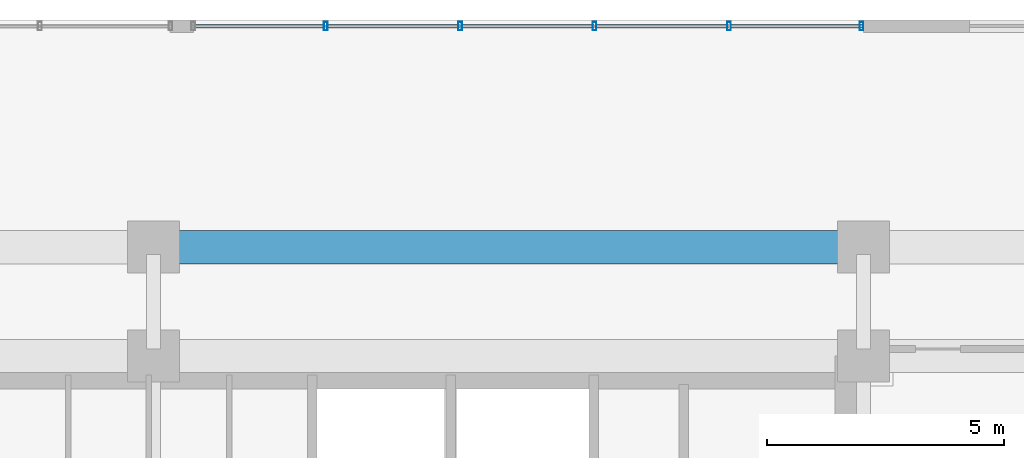
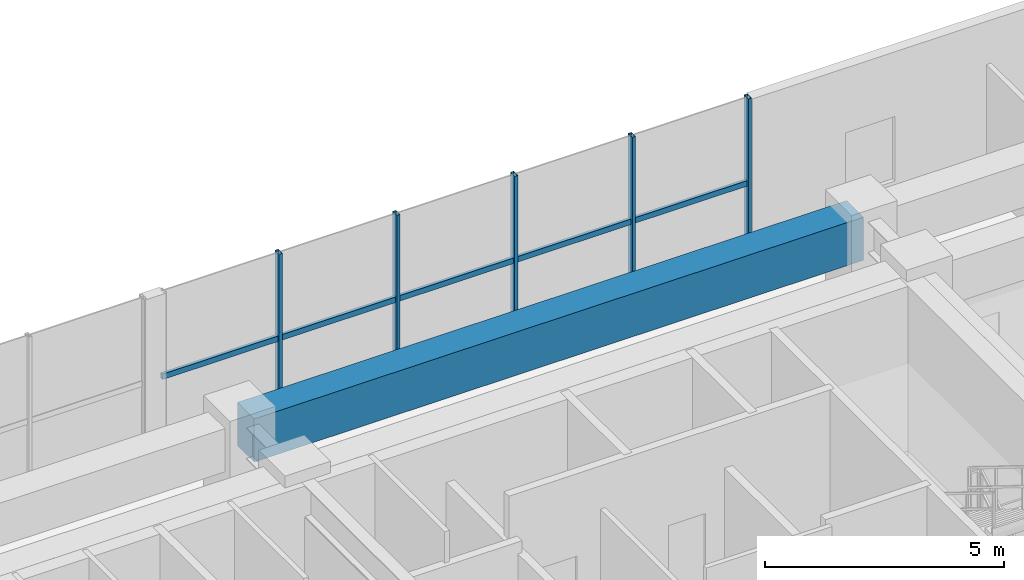
# One storey, part 11 of 24: 10 members, 1 beam, 1 element without a shape of its own.
"""IFC4 building model written with IfcOpenShell, lengths in metres."""

import ifcopenshell
import ifcopenshell.guid

model = None  # the IFC model being written
_history = None  # IfcOwnerHistory: only IFC2X3 demands one
_inside = {}  # id of a spatial element -> (the spatial element, [elements in it])
_under = {}  # id of a project, library or spatial element -> (it, [spatial elements below it])
_declared = {}  # id of a project -> (the project, [libraries it declares])
_typed = {}  # id of a type object -> (the type object, [elements of that type])
_made_of = {}  # id of a material, layer set ... -> (it, [elements and type objects made of it])


def new_model(schema):
    """Start an empty IFC model of exactly this schema.

    Asked for "IFC4X3", IfcOpenShell would pick the latest addendum, in which some entities
    have other attributes; the version numbers below select the first issue.
    IFC2X3 requires an IfcOwnerHistory on every rooted entity: one is made here for all.
    """
    global model, _history
    if schema == "IFC4X3":
        model = ifcopenshell.file(schema_version=(4, 3, 0, 0))
    else:
        model = ifcopenshell.file(schema=schema)
    _inside.clear()
    _under.clear()
    _declared.clear()
    _typed.clear()
    _made_of.clear()
    _history = None
    if model.schema == "IFC2X3":
        org = make("IfcOrganization", Name="unknown")
        user = make(
            "IfcPersonAndOrganization",
            ThePerson=make("IfcPerson", FamilyName="unknown"),
            TheOrganization=org,
        )
        app = make(
            "IfcApplication",
            ApplicationDeveloper=org,
            Version="unknown",
            ApplicationFullName="unknown",
            ApplicationIdentifier="unknown",
        )
        _history = make(
            "IfcOwnerHistory",
            OwningUser=user,
            OwningApplication=app,
            ChangeAction="ADDED",
            CreationDate=0,
        )
    return model


def make(cls, **values):
    """One entity of the class cls with the attributes given. An attribute that is None is left unset."""
    return model.create_entity(
        cls, **{name: value for name, value in values.items() if value is not None}
    )


def rooted(cls, **values):
    """An entity with a GlobalId (a new one), such as an element, a storey or a relation."""
    return make(cls, GlobalId=ifcopenshell.guid.new(), OwnerHistory=_history, **values)


def si_unit(unit_type, name, prefix=None):
    """IfcSIUnit, for example si_unit("LENGTHUNIT", "METRE", prefix="MILLI")."""
    return make("IfcSIUnit", UnitType=unit_type, Prefix=prefix, Name=name)


def assignment(units):
    """IfcUnitAssignment: the units of a project."""
    return None if units is None else make("IfcUnitAssignment", Units=units)


def point(xyz):
    """IfcCartesianPoint."""
    return None if xyz is None else make("IfcCartesianPoint", Coordinates=xyz)


def direction(xyz):
    """IfcDirection."""
    return None if xyz is None else make("IfcDirection", DirectionRatios=xyz)


def frame(location, z_axis=None, x_axis=None):
    """IfcAxis2Placement3D, a coordinate frame: its origin and axes. An axis left out is left unset."""
    return make(
        "IfcAxis2Placement3D",
        Location=point(location),
        Axis=direction(z_axis),
        RefDirection=direction(x_axis),
    )


def frame_2d(location, x_axis=None):
    """IfcAxis2Placement2D, a coordinate frame in the plane: its origin and x axis."""
    return make(
        "IfcAxis2Placement2D", Location=point(location), RefDirection=direction(x_axis)
    )


def origin():
    """The frame at (0, 0, 0) with its axes left unset."""
    return frame((0.0, 0.0, 0.0))


def origin_2d():
    """The frame at (0, 0) in the plane with its x axis left unset."""
    return frame_2d((0.0, 0.0))


def place(relative_to, where):
    """IfcLocalPlacement: puts the frame where relative to a parent placement (None: the world)."""
    return make(
        "IfcLocalPlacement", PlacementRelTo=relative_to, RelativePlacement=where
    )


def context(
    kind, dimensions, precision=None, world=None, true_north=None, identifier=None
):
    """IfcGeometricRepresentationContext, for example the 3D "Model" context."""
    return make(
        "IfcGeometricRepresentationContext",
        ContextIdentifier=identifier,
        ContextType=kind,
        CoordinateSpaceDimension=dimensions,
        Precision=precision,
        WorldCoordinateSystem=world,
        TrueNorth=true_north,
    )


def subcontext(parent, identifier, kind, view, scale=None):
    """IfcGeometricRepresentationSubContext, for example "Body" below "Model"."""
    return make(
        "IfcGeometricRepresentationSubContext",
        ContextIdentifier=identifier,
        ContextType=kind,
        ParentContext=parent,
        TargetScale=scale,
        TargetView=view,
    )


def project(units=None, contexts=None):
    """IfcProject with its units and contexts."""
    return rooted(
        "IfcProject",
        Name="project",
        RepresentationContexts=contexts,
        UnitsInContext=assignment(units),
    )


def spatial(cls, under=None, at=None, **own):
    """A site, building, storey or space (cls), placed at a placement, below another one or the project."""
    s = rooted(cls, ObjectPlacement=at, **own)
    if under is not None:
        _under.setdefault(under.id(), (under, []))[1].append(s)
    return s


def profile(cls, at=None, kind="AREA", **sizes):
    """A parametric profile (cls). Its sizes go by their IFC names, for example OverallWidth=200.0."""
    return make(cls, ProfileType=kind, Position=at, **sizes)


def rectangle(**sizes):
    """IfcRectangleProfileDef."""
    return profile("IfcRectangleProfileDef", **sizes)


def hollow_rectangle(**sizes):
    """IfcRectangleHollowProfileDef."""
    return profile("IfcRectangleHollowProfileDef", **sizes)


def extrude(swept, where, along, depth):
    """IfcExtrudedAreaSolid: the profile swept, set in the frame where, extruded along a direction by depth."""
    return make(
        "IfcExtrudedAreaSolid",
        SweptArea=swept,
        Position=where,
        ExtrudedDirection=direction(along),
        Depth=depth,
    )


def shape(context_of_items, identifier, shape_type, items):
    """IfcShapeRepresentation: the items that make up one representation, for example the "Body"."""
    return make(
        "IfcShapeRepresentation",
        ContextOfItems=context_of_items,
        RepresentationIdentifier=identifier,
        RepresentationType=shape_type,
        Items=items,
    )


def source(mapping_origin, context_of_items, identifier, shape_type, items):
    """IfcRepresentationMap: a shape defined once, which mapped items show again and again."""
    return make(
        "IfcRepresentationMap",
        MappingOrigin=mapping_origin,
        MappedRepresentation=shape(context_of_items, identifier, shape_type, items),
    )


def transform(
    local_origin,
    x_axis=None,
    y_axis=None,
    z_axis=None,
    scale=None,
    scale2=None,
    scale3=None,
    uniform=True,
):
    """IfcCartesianTransformationOperator3D, or its non-uniform kind. x_axis, y_axis, z_axis: its Axis1, 2, 3."""
    if uniform:
        return make(
            "IfcCartesianTransformationOperator3D",
            Axis1=direction(x_axis),
            Axis2=direction(y_axis),
            LocalOrigin=point(local_origin),
            Scale=scale,
            Axis3=direction(z_axis),
        )
    return make(
        "IfcCartesianTransformationOperator3DnonUniform",
        Axis1=direction(x_axis),
        Axis2=direction(y_axis),
        LocalOrigin=point(local_origin),
        Scale=scale,
        Axis3=direction(z_axis),
        Scale2=scale2,
        Scale3=scale3,
    )


def mapped(mapping_source, mapping_target):
    """IfcMappedItem: shows the shape of a source again, moved by a transform."""
    return make(
        "IfcMappedItem", MappingSource=mapping_source, MappingTarget=mapping_target
    )


def material(Name=None, Category=None):
    """IfcMaterial."""
    return make("IfcMaterial", Name=Name, Category=Category)


def material_profile(
    of_material, cross_section, Name=None, Category=None, Priority=None
):
    """IfcMaterialProfile: a cross section and its material."""
    return make(
        "IfcMaterialProfile",
        Name=Name,
        Material=of_material,
        Profile=cross_section,
        Priority=Priority,
        Category=Category,
    )


def profile_set(profiles, Name=None, composite=None):
    """IfcMaterialProfileSet."""
    return make(
        "IfcMaterialProfileSet",
        Name=Name,
        MaterialProfiles=profiles,
        CompositeProfile=composite,
    )


def made_of(thing, what):
    """Note that an element or type object is made of a material, layer set ...; save() writes the relation."""
    if what is not None:
        _made_of.setdefault(what.id(), (what, []))[1].append(thing)
    return thing


def type_object(cls, material=None, **own):
    """A type object (cls), such as IfcWallType, which elements share."""
    return made_of(rooted(cls, **own), material)


def element(
    cls,
    number,
    at=None,
    inside=None,
    cuts=None,
    type_object=None,
    material=None,
    context=None,
    identifier="Body",
    shape_type=None,
    held_by="IfcProductDefinitionShape",
    body=None,
    shapes=None,
    **own,
):
    """One element of the class cls, such as IfcWall. Its Tag is "e" and its number.

    at: its placement. inside: the storey or other place that contains it. cuts: it is an
    opening in that element (IfcRelVoidsElement). A single representation is given by context,
    identifier, shape_type and body (its items); several are given by shapes. held_by: the class
    of the entity that holds the representations. save() writes the other relations.
    """
    e = rooted(cls, Tag="e%d" % number, ObjectPlacement=at, **own)
    if body is not None:
        shapes = [shape(context, identifier, shape_type, body)]
    if shapes is not None:
        e.Representation = make(held_by, Representations=shapes)
    if inside is not None:
        _inside.setdefault(inside.id(), (inside, []))[1].append(e)
    if cuts is not None:
        rooted(
            "IfcRelVoidsElement", RelatingBuildingElement=cuts, RelatedOpeningElement=e
        )
    if type_object is not None:
        _typed.setdefault(type_object.id(), (type_object, []))[1].append(e)
    return made_of(e, material)


def aggregate(whole, parts):
    """IfcRelAggregates: a whole, such as a stair, and the parts it consists of."""
    return rooted("IfcRelAggregates", RelatingObject=whole, RelatedObjects=parts)


def save(model, path):
    """Write the relations noted so far, then the file.

    IfcRelAggregates (storeys below a building ...), IfcRelContainedInSpatialStructure (elements
    in a storey), IfcRelDefinesByType, IfcRelAssociatesMaterial and IfcRelDeclares: one each for
    every whole, place, type object, material and project.
    """
    for whole, parts in _under.values():
        aggregate(whole, parts)
    for where, things in _inside.values():
        rooted(
            "IfcRelContainedInSpatialStructure",
            RelatedElements=things,
            RelatingStructure=where,
        )
    for kind, things in _typed.values():
        rooted("IfcRelDefinesByType", RelatedObjects=things, RelatingType=kind)
    for what, things in _made_of.values():
        rooted("IfcRelAssociatesMaterial", RelatedObjects=things, RelatingMaterial=what)
    for by, libraries in _declared.values():
        rooted("IfcRelDeclares", RelatingContext=by, RelatedDefinitions=libraries)
    model.write(path)


model = new_model("IFC4")

# Units and contexts
model_context = context("Model", 3, precision=1e-05, world=origin(), true_north=direction((0.0, 1.0)))
body_context = subcontext(model_context, "Body", "Model", "MODEL_VIEW")
ifc_project = project(units=[si_unit("LENGTHUNIT", "METRE"), si_unit("AREAUNIT", "SQUARE_METRE"), si_unit("VOLUMEUNIT", "CUBIC_METRE"), si_unit("PLANEANGLEUNIT", "RADIAN"), si_unit("MASSUNIT", "GRAM", prefix="KILO")], contexts=[model_context])

# Site, building, storey
site_placement = place(None, origin())
site = spatial("IfcSite", under=ifc_project, at=site_placement, CompositionType="ELEMENT")
building_placement = place(site_placement, origin())
building = spatial("IfcBuilding", under=site, at=building_placement, Name="Trelvane Seafront Commons", CompositionType="ELEMENT")
storey_placement = place(building_placement, frame((0.0, 0.0, 9.699951171875)))
storey = spatial("IfcBuildingStorey", under=building, at=storey_placement, Name="L02", CompositionType="ELEMENT", Elevation=9.699951171875)

# Beam
ifc_material_1 = material(Name="Concrete C50/60", Category="concrete")
ifc_material_profile_1 = material_profile(ifc_material_1, rectangle(XDim=0.699951171875, YDim=1.10009765625, at=origin_2d()), Name="RC-700x1100")
ifc_profile_set_1 = profile_set([ifc_material_profile_1], Name="Concrete C50/60")
beam_type = type_object("IfcBeamType", Name="STR-TBM-RC700x1100", PredefinedType="T_BEAM", material=ifc_profile_set_1)
shared_shape_1 = source(origin(), body_context, "Body", "SweptSolid", [
    extrude(rectangle(XDim=0.699951171875, YDim=1.10009765625, at=origin_2d()), origin(), (0.0, 0.0, 1.0), 14.699951171875),
])
beam_placement = place(storey_placement, frame((43.949951171875, 47.39990234375, 3.650146484375), z_axis=(1.0, 0.0, 0.0), x_axis=(0.0, 1.0, 0.0)))
element("IfcBeam", 1, at=beam_placement, inside=storey, type_object=beam_type, Name="L02 Primary Girder G-29", PredefinedType="T_BEAM", context=body_context, shape_type="MappedRepresentation", body=[
    mapped(shared_shape_1, transform((0.0, 0.0, 0.0), x_axis=(1.0, 0.0, 0.0), y_axis=(0.0, 1.0, 0.0), z_axis=(0.0, 0.0, 1.0), scale=1.0)),
])

# Curtain wall, members
ifc_material_2 = material(Name="Anodised pale-silver aluminium", Category="aluminium")
curtain_wall_type = type_object("IfcCurtainWallType", Name="ARCH-CW1-PODIUM", PredefinedType="NOTDEFINED", material=ifc_material_2)
curtain_wall_placement = place(storey_placement, origin())
curtain_wall = element("IfcCurtainWall", 2, at=curtain_wall_placement, inside=storey, type_object=curtain_wall_type, Name="CW-L02-0015", PredefinedType="NOTDEFINED")
ifc_material_profile_2 = material_profile(ifc_material_2, hollow_rectangle(XDim=0.080078125, YDim=0.179931640625, WallThickness=0.00439453125, at=origin_2d()), Name="MULL-80x180x4.5")
ifc_profile_set_2 = profile_set([ifc_material_profile_2], Name="Anodised pale-silver aluminium")
member_type_1 = type_object("IfcMemberType", Name="ARCH-CW-MULL-180", PredefinedType="MULLION", material=ifc_profile_set_2)
shared_shape_2 = source(origin(), body_context, "Body", "SweptSolid", [
    extrude(hollow_rectangle(XDim=0.080078125, YDim=0.179931640625, WallThickness=0.00439453125, at=origin_2d()), origin(), (0.0, 0.0, 1.0), 4.199951171875),
])
member_1_placement = place(storey_placement, frame((47.43994140625, 52.070068359375, 0.0), z_axis=(0.0, 0.0, 1.0), x_axis=(1.0, 0.0, 0.0)))
member_1 = element("IfcMember", 3, at=member_1_placement, type_object=member_type_1, Name="CW-L02-0015-M01", PredefinedType="MULLION", context=body_context, shape_type="MappedRepresentation", body=[
    mapped(shared_shape_2, transform((0.0, 0.0, 0.0), x_axis=(1.0, 0.0, 0.0), y_axis=(0.0, 1.0, 0.0), z_axis=(0.0, 0.0, 1.0), scale=1.0)),
])
member_2_placement = place(storey_placement, frame((50.280029296875, 52.070068359375, 0.0), z_axis=(0.0, 0.0, 1.0), x_axis=(1.0, 0.0, 0.0)))
member_2 = element("IfcMember", 4, at=member_2_placement, type_object=member_type_1, Name="CW-L02-0015-M02", PredefinedType="MULLION", context=body_context, shape_type="MappedRepresentation", body=[
    mapped(shared_shape_2, transform((0.0, 0.0, 0.0), x_axis=(1.0, 0.0, 0.0), y_axis=(0.0, 1.0, 0.0), z_axis=(0.0, 0.0, 1.0), scale=1.0)),
])
member_3_placement = place(storey_placement, frame((53.1201171875, 52.070068359375, 0.0), z_axis=(0.0, 0.0, 1.0), x_axis=(1.0, 0.0, 0.0)))
member_3 = element("IfcMember", 5, at=member_3_placement, type_object=member_type_1, Name="CW-L02-0015-M03", PredefinedType="MULLION", context=body_context, shape_type="MappedRepresentation", body=[
    mapped(shared_shape_2, transform((0.0, 0.0, 0.0), x_axis=(1.0, 0.0, 0.0), y_axis=(0.0, 1.0, 0.0), z_axis=(0.0, 0.0, 1.0), scale=1.0)),
])
member_4_placement = place(storey_placement, frame((55.9599609375, 52.070068359375, 0.0), z_axis=(0.0, 0.0, 1.0), x_axis=(1.0, 0.0, 0.0)))
member_4 = element("IfcMember", 6, at=member_4_placement, type_object=member_type_1, Name="CW-L02-0015-M04", PredefinedType="MULLION", context=body_context, shape_type="MappedRepresentation", body=[
    mapped(shared_shape_2, transform((0.0, 0.0, 0.0), x_axis=(1.0, 0.0, 0.0), y_axis=(0.0, 1.0, 0.0), z_axis=(0.0, 0.0, 1.0), scale=1.0)),
])
member_5_placement = place(storey_placement, frame((58.760009765625, 52.070068359375, 0.0), z_axis=(0.0, 0.0, 1.0), x_axis=(1.0, 0.0, 0.0)))
member_5 = element("IfcMember", 7, at=member_5_placement, type_object=member_type_1, Name="CW-L02-0015-M05", PredefinedType="MULLION", context=body_context, shape_type="MappedRepresentation", body=[
    mapped(shared_shape_2, transform((0.0, 0.0, 0.0), x_axis=(1.0, 0.0, 0.0), y_axis=(0.0, 1.0, 0.0), z_axis=(0.0, 0.0, 1.0), scale=1.0)),
])
ifc_material_profile_3 = material_profile(ifc_material_2, hollow_rectangle(XDim=0.074951171875, YDim=0.139892578125, WallThickness=0.00390625, at=origin_2d()), Name="TRAN-75x140x4")
ifc_profile_set_3 = profile_set([ifc_material_profile_3], Name="Anodised pale-silver aluminium")
member_type_2 = type_object("IfcMemberType", Name="ARCH-CW-TRAN-140", PredefinedType="USERDEFINED", material=ifc_profile_set_3)
shared_shape_3 = source(origin(), body_context, "Body", "SweptSolid", [
    extrude(hollow_rectangle(XDim=0.074951171875, YDim=0.139892578125, WallThickness=0.00390625, at=origin_2d()), origin(), (0.0, 0.0, 1.0), 2.81591796875),
])
member_6_placement = place(storey_placement, frame((44.612060546875, 52.070068359375, 2.01611328125), z_axis=(1.0, 0.0, 0.0), x_axis=(0.0, 1.0, 0.0)))
member_6 = element("IfcMember", 8, at=member_6_placement, type_object=member_type_2, Name="CW-L02-0015-T00", ObjectType="TRANSOM", PredefinedType="USERDEFINED", context=body_context, shape_type="MappedRepresentation", body=[
    mapped(shared_shape_3, transform((0.0, 0.0, 0.0), x_axis=(1.0, 0.0, 0.0), y_axis=(0.0, 1.0, 0.0), z_axis=(0.0, 0.0, 1.0), scale=1.0)),
])
member_7_placement = place(storey_placement, frame((50.2919921875, 52.070068359375, 2.01611328125), z_axis=(1.0, 0.0, 0.0), x_axis=(0.0, 1.0, 0.0)))
member_7 = element("IfcMember", 9, at=member_7_placement, type_object=member_type_2, Name="CW-L02-0015-T02", ObjectType="TRANSOM", PredefinedType="USERDEFINED", context=body_context, shape_type="MappedRepresentation", body=[
    mapped(shared_shape_3, transform((0.0, 0.0, 0.0), x_axis=(1.0, 0.0, 0.0), y_axis=(0.0, 1.0, 0.0), z_axis=(0.0, 0.0, 1.0), scale=1.0)),
])
member_8_placement = place(storey_placement, frame((53.132080078125, 52.070068359375, 2.01611328125), z_axis=(1.0, 0.0, 0.0), x_axis=(0.0, 1.0, 0.0)))
member_8 = element("IfcMember", 10, at=member_8_placement, type_object=member_type_2, Name="CW-L02-0015-T03", ObjectType="TRANSOM", PredefinedType="USERDEFINED", context=body_context, shape_type="MappedRepresentation", body=[
    mapped(shared_shape_3, transform((0.0, 0.0, 0.0), x_axis=(1.0, 0.0, 0.0), y_axis=(0.0, 1.0, 0.0), z_axis=(0.0, 0.0, 1.0), scale=1.0)),
])
shared_shape_4 = source(origin(), body_context, "Body", "SweptSolid", [
    extrude(hollow_rectangle(XDim=0.074951171875, YDim=0.139892578125, WallThickness=0.00390625, at=origin_2d()), origin(), (0.0, 0.0, 1.0), 2.816162109375),
])
member_9_placement = place(storey_placement, frame((47.451904296875, 52.070068359375, 2.01611328125), z_axis=(1.0, 0.0, 0.0), x_axis=(0.0, 1.0, 0.0)))
member_9 = element("IfcMember", 11, at=member_9_placement, type_object=member_type_2, Name="CW-L02-0015-T01", ObjectType="TRANSOM", PredefinedType="USERDEFINED", context=body_context, shape_type="MappedRepresentation", body=[
    mapped(shared_shape_4, transform((0.0, 0.0, 0.0), x_axis=(1.0, 0.0, 0.0), y_axis=(0.0, 1.0, 0.0), z_axis=(0.0, 0.0, 1.0), scale=1.0)),
])
member_10_placement = place(storey_placement, frame((55.971923828125, 52.070068359375, 2.01611328125), z_axis=(1.0, 0.0, 0.0), x_axis=(0.0, 1.0, 0.0)))
member_10 = element("IfcMember", 12, at=member_10_placement, type_object=member_type_2, Name="CW-L02-0015-T04", ObjectType="TRANSOM", PredefinedType="USERDEFINED", context=body_context, shape_type="MappedRepresentation", body=[
    mapped(shared_shape_4, transform((0.0, 0.0, 0.0), x_axis=(1.0, 0.0, 0.0), y_axis=(0.0, 1.0, 0.0), z_axis=(0.0, 0.0, 1.0), scale=1.0)),
])
aggregate(curtain_wall, [member_1, member_2, member_3, member_4, member_5, member_6, member_9, member_7, member_8, member_10])

save(model, "model.ifc")
